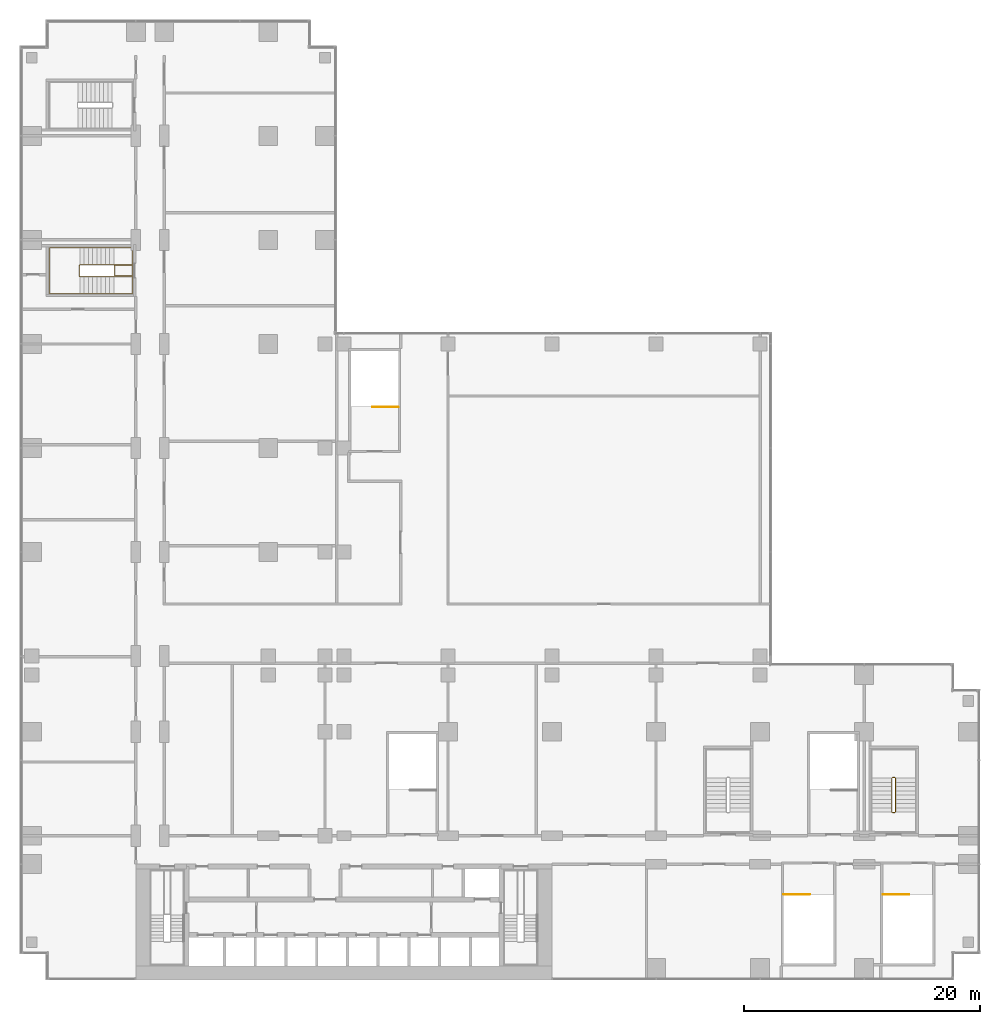
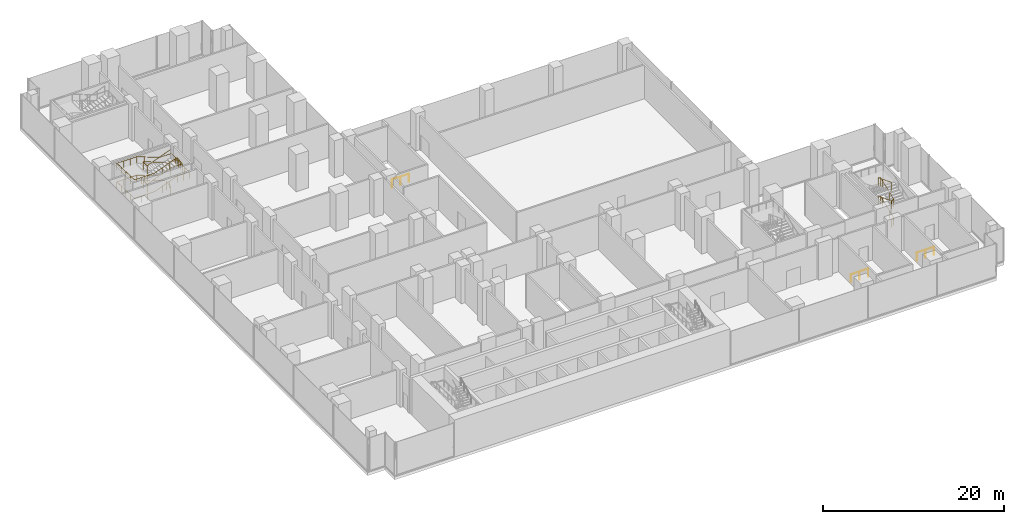
# One storey, part 26 of 27: 6 railings.
"""IFC4 building model written with IfcOpenShell, lengths in metres."""

from ifc_helpers import new_model, si_unit, direction, frame, origin, origin_2d, place, context, subcontext, project, spatial, circle, extrude, material, type_object, element, save


model = new_model("IFC4")

# Units and contexts
model_context = context("Model", 3, precision=1e-05, world=origin(), true_north=direction((0.0, 1.0)))
body_context = subcontext(model_context, "Body", "Model", "MODEL_VIEW")
ifc_project = project(units=[si_unit("LENGTHUNIT", "METRE"), si_unit("AREAUNIT", "SQUARE_METRE"), si_unit("VOLUMEUNIT", "CUBIC_METRE"), si_unit("PLANEANGLEUNIT", "RADIAN"), si_unit("MASSUNIT", "GRAM", prefix="KILO")], contexts=[model_context])

# Site, building, storey
site_placement = place(None, origin())
site = spatial("IfcSite", under=ifc_project, at=site_placement, CompositionType="ELEMENT")
building_placement = place(site_placement, origin())
building = spatial("IfcBuilding", under=site, at=building_placement, Name="Kemantara Hotel Tower", CompositionType="ELEMENT")
storey_placement = place(building_placement, frame((0.0, 0.0, 29.0)))
storey = spatial("IfcBuildingStorey", under=building, at=storey_placement, Name="L05", CompositionType="ELEMENT", Elevation=29.0)

# Railings
ifc_material = material(Name="Stainless steel balustrade", Category="steel")
railing_type_1 = type_object("IfcRailingType", Name="Stair guard 1100 mm", PredefinedType="GUARDRAIL", material=ifc_material)
railing_1_placement = place(storey_placement, frame((7.949951171875, 59.5, 5.0)))
element("IfcRailing", 1, at=railing_1_placement, inside=storey, type_object=railing_type_1, Name="L05 ST4 stair guard 1", PredefinedType="GUARDRAIL", context=body_context, shape_type="SweptSolid", body=[
    extrude(circle(Radius=0.02392578125, at=origin_2d()), frame((0.0, 0.0, 1.076171875), z_axis=(-0.932972064118, 0.0, -0.359948784656), x_axis=(0.0, -1.0, 0.0)), (0.0, 0.0, 1.0), 3.086669921875),
    extrude(circle(Radius=0.02392578125, at=origin_2d()), frame((-2.8798828125, 0.0, -0.03515625), z_axis=(-0.321014310373, 0.321014310373, -0.891010451718), x_axis=(-0.707106781187, -0.707106781187, 0.0)), (0.0, 0.0, 1.0), 0.156005859375),
    extrude(circle(Radius=0.02392578125, at=origin_2d()), frame((-2.929931640625, 0.050048828125, -0.173828125), z_axis=(0.0, 1.0, 0.0), x_axis=(-1.0, 0.0, 0.0)), (0.0, 0.0, 1.0), 0.89990234375),
    extrude(circle(Radius=0.02392578125, at=origin_2d()), frame((-2.929931640625, 0.949951171875, -0.173828125), z_axis=(0.707106781187, 0.707106781187, 0.0), x_axis=(-0.707106781187, 0.707106781187, 0.0)), (0.0, 0.0, 1.0), 0.07080078125),
    extrude(circle(Radius=0.02392578125, at=origin_2d()), frame((-2.8798828125, 1.0, -0.173828125), z_axis=(0.932972064118, 0.0, -0.359948784656), x_axis=(0.0, 1.0, 0.0)), (0.0, 0.0, 1.0), 3.086669921875),
    extrude(circle(Radius=0.02392578125, at=origin_2d()), frame((0.0, 1.0, -1.28515625), z_axis=(1.0, 0.0, 0.0), x_axis=(0.0, 1.0, 0.0)), (0.0, 0.0, 1.0), 1.530029296875),
    extrude(circle(Radius=0.02392578125, at=origin_2d()), frame((1.530029296875, 1.0, -1.28515625), z_axis=(0.0, -0.989476165601, -0.144695949172), x_axis=(1.0, 0.0, 0.0)), (0.0, 0.0, 1.0), 0.9599609375),
    extrude(circle(Radius=0.02392578125, at=origin_2d()), frame((1.530029296875, 0.050048828125, -1.423828125), z_axis=(-1.0, 0.0, 0.0), x_axis=(0.0, -1.0, 0.0)), (0.0, 0.0, 1.0), 1.47998046875),
    extrude(circle(Radius=0.02392578125, at=origin_2d()), frame((0.050048828125, 0.050048828125, -1.423828125), z_axis=(0.0, 1.0, 0.0), x_axis=(-1.0, 0.0, 0.0)), (0.0, 0.0, 1.0), 0.89990234375),
    extrude(circle(Radius=0.02392578125, at=origin_2d()), frame((0.050048828125, 0.949951171875, -1.423828125), z_axis=(1.0, 0.0, 0.0), x_axis=(0.0, 1.0, 0.0)), (0.0, 0.0, 1.0), 1.47998046875),
    extrude(circle(Radius=0.02392578125, at=origin_2d()), frame((1.530029296875, 0.949951171875, -1.423828125), z_axis=(0.0, -1.0, 0.0), x_axis=(1.0, 0.0, 0.0)), (0.0, 0.0, 1.0), 0.949951171875),
    extrude(circle(Radius=0.02392578125, at=origin_2d()), frame((1.530029296875, 0.0, -1.423828125), z_axis=(-1.0, 0.0, 0.0), x_axis=(0.0, -1.0, 0.0)), (0.0, 0.0, 1.0), 1.530029296875),
    extrude(circle(Radius=0.02392578125, at=origin_2d()), frame((0.0, 0.0, -1.423828125), z_axis=(-0.932972064118, 0.0, -0.359948784656), x_axis=(0.0, -1.0, 0.0)), (0.0, 0.0, 1.0), 3.086669921875),
    extrude(circle(Radius=0.02392578125, at=origin_2d()), frame((-2.8798828125, 0.0, -2.53515625), z_axis=(-0.321014310373, 0.321014310373, -0.891010451718), x_axis=(-0.707106781187, -0.707106781187, 0.0)), (0.0, 0.0, 1.0), 0.156005859375),
    extrude(circle(Radius=0.02392578125, at=origin_2d()), frame((-2.929931640625, 0.050048828125, -2.673828125), z_axis=(0.0, 1.0, 0.0), x_axis=(-1.0, 0.0, 0.0)), (0.0, 0.0, 1.0), 0.89990234375),
    extrude(circle(Radius=0.02392578125, at=origin_2d()), frame((-2.929931640625, 0.949951171875, -2.673828125), z_axis=(0.707106781187, 0.707106781187, 0.0), x_axis=(-0.707106781187, 0.707106781187, 0.0)), (0.0, 0.0, 1.0), 0.07080078125),
    extrude(circle(Radius=0.02392578125, at=origin_2d()), frame((-2.8798828125, 1.0, -2.673828125), z_axis=(0.932972064118, 0.0, -0.359948784656), x_axis=(0.0, 1.0, 0.0)), (0.0, 0.0, 1.0), 3.086669921875),
    extrude(circle(Radius=0.02392578125, at=origin_2d()), frame((0.0, 1.0, -3.78515625), z_axis=(0.321014310373, -0.321014310373, -0.891010451718), x_axis=(0.707106781187, 0.707106781187, 0.0)), (0.0, 0.0, 1.0), 0.156005859375),
    extrude(circle(Radius=0.02392578125, at=origin_2d()), frame((0.050048828125, 0.949951171875, -3.923828125), z_axis=(0.0, -1.0, 0.0), x_axis=(1.0, 0.0, 0.0)), (0.0, 0.0, 1.0), 0.89990234375),
    extrude(circle(Radius=0.02099609375, at=origin_2d()), origin(), (0.0, 0.0, 1.0), 1.052001953125),
    extrude(circle(Radius=0.02099609375, at=origin_2d()), frame((-0.9599609375, 0.0, -0.370361328125)), (0.0, 0.0, 1.0), 1.052001953125),
    extrude(circle(Radius=0.02099609375, at=origin_2d()), frame((-1.919921875, 0.0, -0.74072265625)), (0.0, 0.0, 1.0), 1.052001953125),
    extrude(circle(Radius=0.02099609375, at=origin_2d()), frame((-2.8798828125, 0.0, -1.111083984375)), (0.0, 0.0, 1.0), 1.052001953125),
    extrude(circle(Radius=0.02099609375, at=origin_2d()), frame((-2.929931640625, 0.050048828125, -1.25)), (0.0, 0.0, 1.0), 1.052001953125),
    extrude(circle(Radius=0.02099609375, at=origin_2d()), frame((-2.929931640625, 0.949951171875, -1.25)), (0.0, 0.0, 1.0), 1.052001953125),
    extrude(circle(Radius=0.02099609375, at=origin_2d()), frame((-2.8798828125, 1.0, -1.25)), (0.0, 0.0, 1.0), 1.052001953125),
    extrude(circle(Radius=0.02099609375, at=origin_2d()), frame((-1.919921875, 1.0, -1.620361328125)), (0.0, 0.0, 1.0), 1.052001953125),
    extrude(circle(Radius=0.02099609375, at=origin_2d()), frame((-0.9599609375, 1.0, -1.99072265625)), (0.0, 0.0, 1.0), 1.052001953125),
    extrude(circle(Radius=0.02099609375, at=origin_2d()), frame((0.0, 1.0, -2.361083984375)), (0.0, 0.0, 1.0), 1.052001953125),
    extrude(circle(Radius=0.02099609375, at=origin_2d()), frame((0.76513671875, 1.0, -2.361083984375)), (0.0, 0.0, 1.0), 1.052001953125),
    extrude(circle(Radius=0.02099609375, at=origin_2d()), frame((1.530029296875, 1.0, -2.361083984375)), (0.0, 0.0, 1.0), 1.052001953125),
    extrude(circle(Radius=0.02099609375, at=origin_2d()), frame((1.530029296875, 0.050048828125, -2.5)), (0.0, 0.0, 1.0), 1.052001953125),
    extrude(circle(Radius=0.02099609375, at=origin_2d()), frame((0.7900390625, 0.050048828125, -2.5)), (0.0, 0.0, 1.0), 1.052001953125),
    extrude(circle(Radius=0.02099609375, at=origin_2d()), frame((0.050048828125, 0.050048828125, -2.5)), (0.0, 0.0, 1.0), 1.052001953125),
    extrude(circle(Radius=0.02099609375, at=origin_2d()), frame((0.050048828125, 0.949951171875, -2.5)), (0.0, 0.0, 1.0), 1.052001953125),
    extrude(circle(Radius=0.02099609375, at=origin_2d()), frame((0.7900390625, 0.949951171875, -2.5)), (0.0, 0.0, 1.0), 1.052001953125),
    extrude(circle(Radius=0.02099609375, at=origin_2d()), frame((1.530029296875, 0.949951171875, -2.5)), (0.0, 0.0, 1.0), 1.052001953125),
    extrude(circle(Radius=0.02099609375, at=origin_2d()), frame((1.530029296875, 0.0, -2.5)), (0.0, 0.0, 1.0), 1.052001953125),
    extrude(circle(Radius=0.02099609375, at=origin_2d()), frame((0.76513671875, 0.0, -2.5)), (0.0, 0.0, 1.0), 1.052001953125),
    extrude(circle(Radius=0.02099609375, at=origin_2d()), frame((0.0, 0.0, -2.5)), (0.0, 0.0, 1.0), 1.052001953125),
    extrude(circle(Radius=0.02099609375, at=origin_2d()), frame((-0.9599609375, 0.0, -2.870361328125)), (0.0, 0.0, 1.0), 1.052001953125),
    extrude(circle(Radius=0.02099609375, at=origin_2d()), frame((-1.919921875, 0.0, -3.24072265625)), (0.0, 0.0, 1.0), 1.052001953125),
    extrude(circle(Radius=0.02099609375, at=origin_2d()), frame((-2.8798828125, 0.0, -3.611083984375)), (0.0, 0.0, 1.0), 1.052001953125),
    extrude(circle(Radius=0.02099609375, at=origin_2d()), frame((-2.929931640625, 0.050048828125, -3.75)), (0.0, 0.0, 1.0), 1.052001953125),
    extrude(circle(Radius=0.02099609375, at=origin_2d()), frame((-2.929931640625, 0.949951171875, -3.75)), (0.0, 0.0, 1.0), 1.052001953125),
    extrude(circle(Radius=0.02099609375, at=origin_2d()), frame((-2.8798828125, 1.0, -3.75)), (0.0, 0.0, 1.0), 1.052001953125),
    extrude(circle(Radius=0.02099609375, at=origin_2d()), frame((-1.919921875, 1.0, -4.120361328125)), (0.0, 0.0, 1.0), 1.052001953125),
    extrude(circle(Radius=0.02099609375, at=origin_2d()), frame((-0.9599609375, 1.0, -4.49072265625)), (0.0, 0.0, 1.0), 1.052001953125),
    extrude(circle(Radius=0.02099609375, at=origin_2d()), frame((0.0, 1.0, -4.861083984375)), (0.0, 0.0, 1.0), 1.052001953125),
    extrude(circle(Radius=0.02099609375, at=origin_2d()), frame((0.050048828125, 0.949951171875, -5.0)), (0.0, 0.0, 1.0), 1.052001953125),
    extrude(circle(Radius=0.02099609375, at=origin_2d()), frame((0.050048828125, 0.050048828125, -5.0)), (0.0, 0.0, 1.0), 1.052001953125),
])
railing_2_placement = place(storey_placement, frame((73.75, 14.199951171875, 5.0)))
element("IfcRailing", 2, at=railing_2_placement, inside=storey, type_object=railing_type_1, Name="L05 ST5 stair guard 1", PredefinedType="GUARDRAIL", context=body_context, shape_type="SweptSolid", body=[
    extrude(circle(Radius=0.02392578125, at=origin_2d()), frame((0.0, 0.0, 1.076171875), z_axis=(0.0, 0.932982310422, -0.359922225543), x_axis=(-1.0, 0.0, 0.0)), (0.0, 0.0, 1.0), 3.0869140625),
    extrude(circle(Radius=0.02392578125, at=origin_2d()), frame((0.0, 2.880126953125, -0.03515625), z_axis=(0.321175406682, 0.319608697381, -0.891457592206), x_axis=(-0.705375805398, 0.708833529934, 0.0)), (0.0, 0.0, 1.0), 0.15576171875),
    extrude(circle(Radius=0.02392578125, at=origin_2d()), frame((0.050048828125, 2.929931640625, -0.173828125), z_axis=(1.0, 0.0, 0.0), x_axis=(0.0, 1.0, 0.0)), (0.0, 0.0, 1.0), 0.199951171875),
    extrude(circle(Radius=0.02392578125, at=origin_2d()), frame((0.25, 2.929931640625, -0.173828125), z_axis=(0.708833529934, -0.705375805398, 0.0), x_axis=(0.705375805398, 0.708833529934, 0.0)), (0.0, 0.0, 1.0), 0.070556640625),
    extrude(circle(Radius=0.02392578125, at=origin_2d()), frame((0.300048828125, 2.880126953125, -0.173828125), z_axis=(0.0, -0.932982310422, -0.359922225543), x_axis=(1.0, 0.0, 0.0)), (0.0, 0.0, 1.0), 3.0869140625),
    extrude(circle(Radius=0.02392578125, at=origin_2d()), frame((0.300048828125, 0.0, -1.28515625), z_axis=(-0.861032742868, -0.172374719031, -0.478444951847), x_axis=(0.196300278283, -0.98054382908, 0.0)), (0.0, 0.0, 1.0), 0.290283203125),
    extrude(circle(Radius=0.02392578125, at=origin_2d()), frame((0.050048828125, -0.050048828125, -1.423828125), z_axis=(1.0, 0.0, 0.0), x_axis=(0.0, 1.0, 0.0)), (0.0, 0.0, 1.0), 0.199951171875),
    extrude(circle(Radius=0.02392578125, at=origin_2d()), frame((0.25, -0.050048828125, -1.423828125), z_axis=(-0.98054382908, 0.196300278283, 0.0), x_axis=(-0.196300278283, -0.98054382908, 0.0)), (0.0, 0.0, 1.0), 0.2548828125),
    extrude(circle(Radius=0.02392578125, at=origin_2d()), frame((0.0, 0.0, -1.423828125), z_axis=(0.0, 0.932982310422, -0.359922225543), x_axis=(-1.0, 0.0, 0.0)), (0.0, 0.0, 1.0), 3.0869140625),
    extrude(circle(Radius=0.02392578125, at=origin_2d()), frame((0.0, 2.880126953125, -2.53515625), z_axis=(0.321175406682, 0.319608697381, -0.891457592206), x_axis=(-0.705375805398, 0.708833529934, 0.0)), (0.0, 0.0, 1.0), 0.15576171875),
    extrude(circle(Radius=0.02392578125, at=origin_2d()), frame((0.050048828125, 2.929931640625, -2.673828125), z_axis=(1.0, 0.0, 0.0), x_axis=(0.0, 1.0, 0.0)), (0.0, 0.0, 1.0), 0.199951171875),
    extrude(circle(Radius=0.02392578125, at=origin_2d()), frame((0.25, 2.929931640625, -2.673828125), z_axis=(0.708833529934, -0.705375805398, 0.0), x_axis=(0.705375805398, 0.708833529934, 0.0)), (0.0, 0.0, 1.0), 0.070556640625),
    extrude(circle(Radius=0.02392578125, at=origin_2d()), frame((0.300048828125, 2.880126953125, -2.673828125), z_axis=(0.0, -0.932982310422, -0.359922225543), x_axis=(1.0, 0.0, 0.0)), (0.0, 0.0, 1.0), 3.0869140625),
    extrude(circle(Radius=0.02392578125, at=origin_2d()), frame((0.300048828125, 0.0, -3.78515625), z_axis=(-0.321014310373, -0.321014310373, -0.891010451718), x_axis=(0.707106781187, -0.707106781187, 0.0)), (0.0, 0.0, 1.0), 0.156005859375),
    extrude(circle(Radius=0.02392578125, at=origin_2d()), frame((0.25, -0.050048828125, -3.923828125), z_axis=(-1.0, 0.0, 0.0), x_axis=(0.0, -1.0, 0.0)), (0.0, 0.0, 1.0), 0.199951171875),
    extrude(circle(Radius=0.02099609375, at=origin_2d()), origin(), (0.0, 0.0, 1.0), 1.052001953125),
    extrude(circle(Radius=0.02099609375, at=origin_2d()), frame((0.0, 0.9599609375, -0.370361328125)), (0.0, 0.0, 1.0), 1.052001953125),
    extrude(circle(Radius=0.02099609375, at=origin_2d()), frame((0.0, 1.920166015625, -0.74072265625)), (0.0, 0.0, 1.0), 1.052001953125),
    extrude(circle(Radius=0.02099609375, at=origin_2d()), frame((0.0, 2.880126953125, -1.111083984375)), (0.0, 0.0, 1.0), 1.052001953125),
    extrude(circle(Radius=0.02099609375, at=origin_2d()), frame((0.050048828125, 2.929931640625, -1.25)), (0.0, 0.0, 1.0), 1.052001953125),
    extrude(circle(Radius=0.02099609375, at=origin_2d()), frame((0.25, 2.929931640625, -1.25)), (0.0, 0.0, 1.0), 1.052001953125),
    extrude(circle(Radius=0.02099609375, at=origin_2d()), frame((0.300048828125, 2.880126953125, -1.25)), (0.0, 0.0, 1.0), 1.052001953125),
    extrude(circle(Radius=0.02099609375, at=origin_2d()), frame((0.300048828125, 1.920166015625, -1.620361328125)), (0.0, 0.0, 1.0), 1.052001953125),
    extrude(circle(Radius=0.02099609375, at=origin_2d()), frame((0.300048828125, 0.9599609375, -1.99072265625)), (0.0, 0.0, 1.0), 1.052001953125),
    extrude(circle(Radius=0.02099609375, at=origin_2d()), frame((0.300048828125, 0.0, -2.361083984375)), (0.0, 0.0, 1.0), 1.052001953125),
    extrude(circle(Radius=0.02099609375, at=origin_2d()), frame((0.050048828125, -0.050048828125, -2.5)), (0.0, 0.0, 1.0), 1.052001953125),
    extrude(circle(Radius=0.02099609375, at=origin_2d()), frame((0.25, -0.050048828125, -2.5)), (0.0, 0.0, 1.0), 1.052001953125),
    extrude(circle(Radius=0.02099609375, at=origin_2d()), frame((0.0, 0.0, -2.5)), (0.0, 0.0, 1.0), 1.052001953125),
    extrude(circle(Radius=0.02099609375, at=origin_2d()), frame((0.0, 0.9599609375, -2.870361328125)), (0.0, 0.0, 1.0), 1.052001953125),
    extrude(circle(Radius=0.02099609375, at=origin_2d()), frame((0.0, 1.920166015625, -3.24072265625)), (0.0, 0.0, 1.0), 1.052001953125),
    extrude(circle(Radius=0.02099609375, at=origin_2d()), frame((0.0, 2.880126953125, -3.611083984375)), (0.0, 0.0, 1.0), 1.052001953125),
    extrude(circle(Radius=0.02099609375, at=origin_2d()), frame((0.050048828125, 2.929931640625, -3.75)), (0.0, 0.0, 1.0), 1.052001953125),
    extrude(circle(Radius=0.02099609375, at=origin_2d()), frame((0.25, 2.929931640625, -3.75)), (0.0, 0.0, 1.0), 1.052001953125),
    extrude(circle(Radius=0.02099609375, at=origin_2d()), frame((0.300048828125, 2.880126953125, -3.75)), (0.0, 0.0, 1.0), 1.052001953125),
    extrude(circle(Radius=0.02099609375, at=origin_2d()), frame((0.300048828125, 1.920166015625, -4.120361328125)), (0.0, 0.0, 1.0), 1.052001953125),
    extrude(circle(Radius=0.02099609375, at=origin_2d()), frame((0.300048828125, 0.9599609375, -4.49072265625)), (0.0, 0.0, 1.0), 1.052001953125),
    extrude(circle(Radius=0.02099609375, at=origin_2d()), frame((0.300048828125, 0.0, -4.861083984375)), (0.0, 0.0, 1.0), 1.052001953125),
    extrude(circle(Radius=0.02099609375, at=origin_2d()), frame((0.25, -0.050048828125, -5.0)), (0.0, 0.0, 1.0), 1.052001953125),
    extrude(circle(Radius=0.02099609375, at=origin_2d()), frame((0.050048828125, -0.050048828125, -5.0)), (0.0, 0.0, 1.0), 1.052001953125),
])
railing_3_placement = place(storey_placement, frame((32.0, 48.449951171875, 0.0)))
element("IfcRailing", 3, at=railing_3_placement, inside=storey, type_object=railing_type_1, Name="L05 PS2 top well guard 1", PredefinedType="GUARDRAIL", context=body_context, shape_type="SweptSolid", body=[
    extrude(circle(Radius=0.02392578125, at=origin_2d()), frame((0.0, 0.0, 1.076171875), z_axis=(-1.0, 0.0, 0.0), x_axis=(0.0, -1.0, 0.0)), (0.0, 0.0, 1.0), 2.199951171875),
    extrude(circle(Radius=0.02099609375, at=origin_2d()), origin(), (0.0, 0.0, 1.0), 1.052001953125),
    extrude(circle(Radius=0.02099609375, at=origin_2d()), frame((-1.10009765625, 0.0, 0.0)), (0.0, 0.0, 1.0), 1.052001953125),
    extrude(circle(Radius=0.02099609375, at=origin_2d()), frame((-2.199951171875, 0.0, 0.0)), (0.0, 0.0, 1.0), 1.052001953125),
])
for number, where, name in (
    (4, (64.60009765625, 7.25, 0.0), "L05 PS4 top well guard 1"),
    (5, (73.0, 7.25, 0.0), "L05 PS5 top well guard 1"),
):
    element("IfcRailing", number, at=place(storey_placement, frame(where)), inside=storey, type_object=railing_type_1, Name=name, PredefinedType="GUARDRAIL", context=body_context, shape_type="SweptSolid", body=[
        extrude(circle(Radius=0.02392578125, at=origin_2d()), frame((0.0, 0.0, 1.076171875), z_axis=(1.0, 0.0, 0.0), x_axis=(0.0, 1.0, 0.0)), (0.0, 0.0, 1.0), 2.199951171875),
        extrude(circle(Radius=0.02099609375, at=origin_2d()), origin(), (0.0, 0.0, 1.0), 1.052001953125),
        extrude(circle(Radius=0.02099609375, at=origin_2d()), frame((1.10009765625, 0.0, 0.0)), (0.0, 0.0, 1.0), 1.052001953125),
        extrude(circle(Radius=0.02099609375, at=origin_2d()), frame((2.199951171875, 0.0, 0.0)), (0.0, 0.0, 1.0), 1.052001953125),
    ])
railing_type_2 = type_object("IfcRailingType", Name="Stair handrail 900 mm", PredefinedType="HANDRAIL", material=ifc_material)
railing_4_placement = place(storey_placement, frame((7.949951171875, 61.949951171875, 0.138916015625)))
element("IfcRailing", 6, at=railing_4_placement, inside=storey, type_object=railing_type_2, Name="L05 ST4 stair handrail 1", PredefinedType="HANDRAIL", context=body_context, shape_type="SweptSolid", body=[
    extrude(circle(Radius=0.02392578125, at=origin_2d()), frame((0.0, 0.0, 0.8759765625), z_axis=(-0.932972064118, 0.0, 0.359948784656), x_axis=(0.0, -1.0, 0.0)), (0.0, 0.0, 1.0), 3.086669921875),
    extrude(circle(Radius=0.02392578125, at=origin_2d()), frame((-2.8798828125, 0.0, 1.98681640625), z_axis=(-1.0, 0.0, 0.0), x_axis=(0.0, -1.0, 0.0)), (0.0, 0.0, 1.0), 2.550048828125),
    extrude(circle(Radius=0.02392578125, at=origin_2d()), frame((-5.429931640625, 0.0, 1.98681640625), z_axis=(0.0, -0.999366197222, 0.035597806825), x_axis=(1.0, 0.0, 0.0)), (0.0, 0.0, 1.0), 3.90234375),
    extrude(circle(Radius=0.02392578125, at=origin_2d()), frame((-5.429931640625, -3.89990234375, 2.1259765625), z_axis=(1.0, 0.0, 0.0), x_axis=(0.0, 1.0, 0.0)), (0.0, 0.0, 1.0), 2.550048828125),
    extrude(circle(Radius=0.02392578125, at=origin_2d()), frame((-2.8798828125, -3.89990234375, 2.1259765625), z_axis=(0.932972064118, 0.0, 0.359948784656), x_axis=(0.0, 1.0, 0.0)), (0.0, 0.0, 1.0), 3.086669921875),
    extrude(circle(Radius=0.02392578125, at=origin_2d()), frame((0.0, -3.89990234375, 3.23681640625), z_axis=(1.0, 0.0, 0.0), x_axis=(0.0, 1.0, 0.0)), (0.0, 0.0, 1.0), 1.530029296875),
    extrude(circle(Radius=0.02392578125, at=origin_2d()), frame((1.530029296875, -3.89990234375, 3.23681640625), z_axis=(0.0, 0.999366197222, 0.035597806825), x_axis=(-1.0, 0.0, 0.0)), (0.0, 0.0, 1.0), 3.90234375),
    extrude(circle(Radius=0.02392578125, at=origin_2d()), frame((1.530029296875, 0.0, 3.3759765625), z_axis=(-1.0, 0.0, 0.0), x_axis=(0.0, -1.0, 0.0)), (0.0, 0.0, 1.0), 1.530029296875),
    extrude(circle(Radius=0.02392578125, at=origin_2d()), frame((0.0, 0.0, 3.3759765625), z_axis=(-0.932972064118, 0.0, 0.359948784656), x_axis=(0.0, -1.0, 0.0)), (0.0, 0.0, 1.0), 3.086669921875),
    extrude(circle(Radius=0.02392578125, at=origin_2d()), frame((-2.8798828125, 0.0, 4.48681640625), z_axis=(-1.0, 0.0, 0.0), x_axis=(0.0, -1.0, 0.0)), (0.0, 0.0, 1.0), 2.550048828125),
    extrude(circle(Radius=0.02392578125, at=origin_2d()), frame((-5.429931640625, 0.0, 4.48681640625), z_axis=(0.0, -0.999366197222, 0.035597806825), x_axis=(1.0, 0.0, 0.0)), (0.0, 0.0, 1.0), 3.90234375),
    extrude(circle(Radius=0.02392578125, at=origin_2d()), frame((-5.429931640625, -3.89990234375, 4.6259765625), z_axis=(1.0, 0.0, 0.0), x_axis=(0.0, 1.0, 0.0)), (0.0, 0.0, 1.0), 2.550048828125),
    extrude(circle(Radius=0.02392578125, at=origin_2d()), frame((-2.8798828125, -3.89990234375, 4.6259765625), z_axis=(0.932972064118, 0.0, 0.359948784656), x_axis=(0.0, 1.0, 0.0)), (0.0, 0.0, 1.0), 3.086669921875),
    extrude(circle(Radius=0.02099609375, at=origin_2d()), origin(), (0.0, 0.0, 1.0), 0.851806640625),
    extrude(circle(Radius=0.02099609375, at=origin_2d()), frame((-0.9599609375, 0.0, 0.370361328125)), (0.0, 0.0, 1.0), 0.851806640625),
    extrude(circle(Radius=0.02099609375, at=origin_2d()), frame((-1.919921875, 0.0, 0.74072265625)), (0.0, 0.0, 1.0), 0.851806640625),
    extrude(circle(Radius=0.02099609375, at=origin_2d()), frame((-2.8798828125, 0.0, 1.111083984375)), (0.0, 0.0, 1.0), 0.851806640625),
    extrude(circle(Radius=0.02099609375, at=origin_2d()), frame((-3.72998046875, 0.0, 1.111083984375)), (0.0, 0.0, 1.0), 0.851806640625),
    extrude(circle(Radius=0.02099609375, at=origin_2d()), frame((-4.579833984375, 0.0, 1.111083984375)), (0.0, 0.0, 1.0), 0.851806640625),
    extrude(circle(Radius=0.02099609375, at=origin_2d()), frame((-5.429931640625, 0.0, 1.111083984375)), (0.0, 0.0, 1.0), 0.851806640625),
    extrude(circle(Radius=0.02099609375, at=origin_2d()), frame((-5.429931640625, -0.97509765625, 1.145751953125)), (0.0, 0.0, 1.0), 0.851806640625),
    extrude(circle(Radius=0.02099609375, at=origin_2d()), frame((-5.429931640625, -1.949951171875, 1.1806640625)), (0.0, 0.0, 1.0), 0.851806640625),
    extrude(circle(Radius=0.02099609375, at=origin_2d()), frame((-5.429931640625, -2.9248046875, 1.21533203125)), (0.0, 0.0, 1.0), 0.851806640625),
    extrude(circle(Radius=0.02099609375, at=origin_2d()), frame((-5.429931640625, -3.89990234375, 1.25)), (0.0, 0.0, 1.0), 0.851806640625),
    extrude(circle(Radius=0.02099609375, at=origin_2d()), frame((-4.579833984375, -3.89990234375, 1.25)), (0.0, 0.0, 1.0), 0.851806640625),
    extrude(circle(Radius=0.02099609375, at=origin_2d()), frame((-3.72998046875, -3.89990234375, 1.25)), (0.0, 0.0, 1.0), 0.851806640625),
    extrude(circle(Radius=0.02099609375, at=origin_2d()), frame((-2.8798828125, -3.89990234375, 1.25)), (0.0, 0.0, 1.0), 0.851806640625),
    extrude(circle(Radius=0.02099609375, at=origin_2d()), frame((-1.919921875, -3.89990234375, 1.620361328125)), (0.0, 0.0, 1.0), 0.851806640625),
    extrude(circle(Radius=0.02099609375, at=origin_2d()), frame((-0.9599609375, -3.89990234375, 1.99072265625)), (0.0, 0.0, 1.0), 0.851806640625),
    extrude(circle(Radius=0.02099609375, at=origin_2d()), frame((0.0, -3.89990234375, 2.361083984375)), (0.0, 0.0, 1.0), 0.851806640625),
    extrude(circle(Radius=0.02099609375, at=origin_2d()), frame((0.76513671875, -3.89990234375, 2.361083984375)), (0.0, 0.0, 1.0), 0.851806640625),
    extrude(circle(Radius=0.02099609375, at=origin_2d()), frame((1.530029296875, -3.89990234375, 2.361083984375)), (0.0, 0.0, 1.0), 0.851806640625),
    extrude(circle(Radius=0.02099609375, at=origin_2d()), frame((1.530029296875, -2.9248046875, 2.395751953125)), (0.0, 0.0, 1.0), 0.851806640625),
    extrude(circle(Radius=0.02099609375, at=origin_2d()), frame((1.530029296875, -1.949951171875, 2.4306640625)), (0.0, 0.0, 1.0), 0.851806640625),
    extrude(circle(Radius=0.02099609375, at=origin_2d()), frame((1.530029296875, -0.97509765625, 2.46533203125)), (0.0, 0.0, 1.0), 0.851806640625),
    extrude(circle(Radius=0.02099609375, at=origin_2d()), frame((1.530029296875, 0.0, 2.5)), (0.0, 0.0, 1.0), 0.851806640625),
    extrude(circle(Radius=0.02099609375, at=origin_2d()), frame((0.76513671875, 0.0, 2.5)), (0.0, 0.0, 1.0), 0.851806640625),
    extrude(circle(Radius=0.02099609375, at=origin_2d()), frame((0.0, 0.0, 2.5)), (0.0, 0.0, 1.0), 0.851806640625),
    extrude(circle(Radius=0.02099609375, at=origin_2d()), frame((-0.9599609375, 0.0, 2.870361328125)), (0.0, 0.0, 1.0), 0.851806640625),
    extrude(circle(Radius=0.02099609375, at=origin_2d()), frame((-1.919921875, 0.0, 3.24072265625)), (0.0, 0.0, 1.0), 0.851806640625),
    extrude(circle(Radius=0.02099609375, at=origin_2d()), frame((-2.8798828125, 0.0, 3.611083984375)), (0.0, 0.0, 1.0), 0.851806640625),
    extrude(circle(Radius=0.02099609375, at=origin_2d()), frame((-3.72998046875, 0.0, 3.611083984375)), (0.0, 0.0, 1.0), 0.851806640625),
    extrude(circle(Radius=0.02099609375, at=origin_2d()), frame((-4.579833984375, 0.0, 3.611083984375)), (0.0, 0.0, 1.0), 0.851806640625),
    extrude(circle(Radius=0.02099609375, at=origin_2d()), frame((-5.429931640625, 0.0, 3.611083984375)), (0.0, 0.0, 1.0), 0.851806640625),
    extrude(circle(Radius=0.02099609375, at=origin_2d()), frame((-5.429931640625, -0.97509765625, 3.645751953125)), (0.0, 0.0, 1.0), 0.851806640625),
    extrude(circle(Radius=0.02099609375, at=origin_2d()), frame((-5.429931640625, -1.949951171875, 3.6806640625)), (0.0, 0.0, 1.0), 0.851806640625),
    extrude(circle(Radius=0.02099609375, at=origin_2d()), frame((-5.429931640625, -2.9248046875, 3.71533203125)), (0.0, 0.0, 1.0), 0.851806640625),
    extrude(circle(Radius=0.02099609375, at=origin_2d()), frame((-5.429931640625, -3.89990234375, 3.75)), (0.0, 0.0, 1.0), 0.851806640625),
    extrude(circle(Radius=0.02099609375, at=origin_2d()), frame((-4.579833984375, -3.89990234375, 3.75)), (0.0, 0.0, 1.0), 0.851806640625),
    extrude(circle(Radius=0.02099609375, at=origin_2d()), frame((-3.72998046875, -3.89990234375, 3.75)), (0.0, 0.0, 1.0), 0.851806640625),
    extrude(circle(Radius=0.02099609375, at=origin_2d()), frame((-2.8798828125, -3.89990234375, 3.75)), (0.0, 0.0, 1.0), 0.851806640625),
    extrude(circle(Radius=0.02099609375, at=origin_2d()), frame((-1.919921875, -3.89990234375, 4.120361328125)), (0.0, 0.0, 1.0), 0.851806640625),
    extrude(circle(Radius=0.02099609375, at=origin_2d()), frame((-0.9599609375, -3.89990234375, 4.49072265625)), (0.0, 0.0, 1.0), 0.851806640625),
    extrude(circle(Radius=0.02099609375, at=origin_2d()), frame((0.0, -3.89990234375, 4.861083984375)), (0.0, 0.0, 1.0), 0.851806640625),
])

save(model, "model.ifc")
